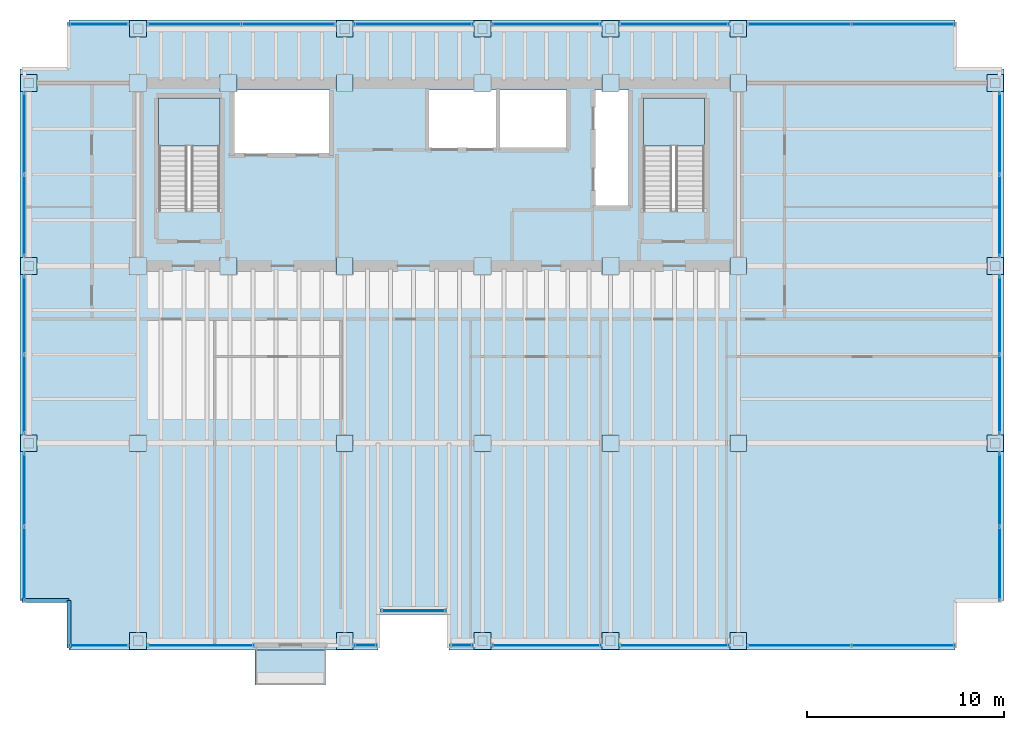
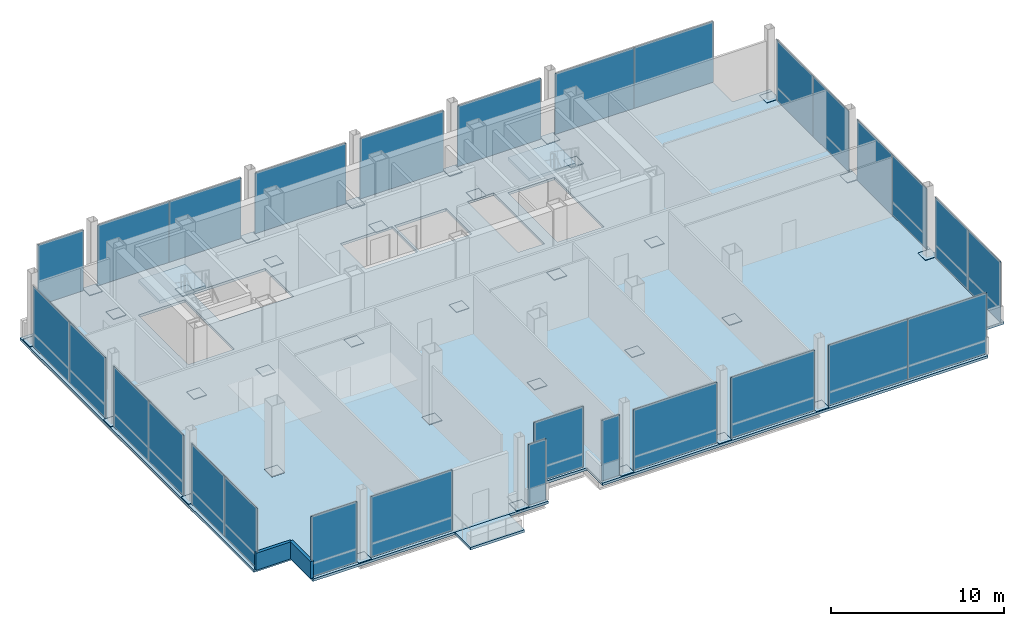
# One storey, part 17 of 22: 62 plates, 4 slabs, 2 walls, 6 openings, 22 elements without a shape of their own.
"""IFC4 building model written with IfcOpenShell, lengths in metres."""

import ifcopenshell
import ifcopenshell.guid

model = None  # the IFC model being written
_history = None  # IfcOwnerHistory: only IFC2X3 demands one
_inside = {}  # id of a spatial element -> (the spatial element, [elements in it])
_under = {}  # id of a project, library or spatial element -> (it, [spatial elements below it])
_declared = {}  # id of a project -> (the project, [libraries it declares])
_typed = {}  # id of a type object -> (the type object, [elements of that type])
_made_of = {}  # id of a material, layer set ... -> (it, [elements and type objects made of it])


def new_model(schema):
    """Start an empty IFC model of exactly this schema.

    Asked for "IFC4X3", IfcOpenShell would pick the latest addendum, in which some entities
    have other attributes; the version numbers below select the first issue.
    IFC2X3 requires an IfcOwnerHistory on every rooted entity: one is made here for all.
    """
    global model, _history
    if schema == "IFC4X3":
        model = ifcopenshell.file(schema_version=(4, 3, 0, 0))
    else:
        model = ifcopenshell.file(schema=schema)
    _inside.clear()
    _under.clear()
    _declared.clear()
    _typed.clear()
    _made_of.clear()
    _history = None
    if model.schema == "IFC2X3":
        org = make("IfcOrganization", Name="unknown")
        user = make(
            "IfcPersonAndOrganization",
            ThePerson=make("IfcPerson", FamilyName="unknown"),
            TheOrganization=org,
        )
        app = make(
            "IfcApplication",
            ApplicationDeveloper=org,
            Version="unknown",
            ApplicationFullName="unknown",
            ApplicationIdentifier="unknown",
        )
        _history = make(
            "IfcOwnerHistory",
            OwningUser=user,
            OwningApplication=app,
            ChangeAction="ADDED",
            CreationDate=0,
        )
    return model


def make(cls, **values):
    """One entity of the class cls with the attributes given. An attribute that is None is left unset."""
    return model.create_entity(
        cls, **{name: value for name, value in values.items() if value is not None}
    )


def rooted(cls, **values):
    """An entity with a GlobalId (a new one), such as an element, a storey or a relation."""
    return make(cls, GlobalId=ifcopenshell.guid.new(), OwnerHistory=_history, **values)


def si_unit(unit_type, name, prefix=None):
    """IfcSIUnit, for example si_unit("LENGTHUNIT", "METRE", prefix="MILLI")."""
    return make("IfcSIUnit", UnitType=unit_type, Prefix=prefix, Name=name)


def assignment(units):
    """IfcUnitAssignment: the units of a project."""
    return None if units is None else make("IfcUnitAssignment", Units=units)


def point(xyz):
    """IfcCartesianPoint."""
    return None if xyz is None else make("IfcCartesianPoint", Coordinates=xyz)


def direction(xyz):
    """IfcDirection."""
    return None if xyz is None else make("IfcDirection", DirectionRatios=xyz)


def frame(location, z_axis=None, x_axis=None):
    """IfcAxis2Placement3D, a coordinate frame: its origin and axes. An axis left out is left unset."""
    return make(
        "IfcAxis2Placement3D",
        Location=point(location),
        Axis=direction(z_axis),
        RefDirection=direction(x_axis),
    )


def frame_2d(location, x_axis=None):
    """IfcAxis2Placement2D, a coordinate frame in the plane: its origin and x axis."""
    return make(
        "IfcAxis2Placement2D", Location=point(location), RefDirection=direction(x_axis)
    )


def origin():
    """The frame at (0, 0, 0) with its axes left unset."""
    return frame((0.0, 0.0, 0.0))


def origin_2d():
    """The frame at (0, 0) in the plane with its x axis left unset."""
    return frame_2d((0.0, 0.0))


def place(relative_to, where):
    """IfcLocalPlacement: puts the frame where relative to a parent placement (None: the world)."""
    return make(
        "IfcLocalPlacement", PlacementRelTo=relative_to, RelativePlacement=where
    )


def context(
    kind, dimensions, precision=None, world=None, true_north=None, identifier=None
):
    """IfcGeometricRepresentationContext, for example the 3D "Model" context."""
    return make(
        "IfcGeometricRepresentationContext",
        ContextIdentifier=identifier,
        ContextType=kind,
        CoordinateSpaceDimension=dimensions,
        Precision=precision,
        WorldCoordinateSystem=world,
        TrueNorth=true_north,
    )


def subcontext(parent, identifier, kind, view, scale=None):
    """IfcGeometricRepresentationSubContext, for example "Body" below "Model"."""
    return make(
        "IfcGeometricRepresentationSubContext",
        ContextIdentifier=identifier,
        ContextType=kind,
        ParentContext=parent,
        TargetScale=scale,
        TargetView=view,
    )


def project(units=None, contexts=None):
    """IfcProject with its units and contexts."""
    return rooted(
        "IfcProject",
        Name="project",
        RepresentationContexts=contexts,
        UnitsInContext=assignment(units),
    )


def spatial(cls, under=None, at=None, **own):
    """A site, building, storey or space (cls), placed at a placement, below another one or the project."""
    s = rooted(cls, ObjectPlacement=at, **own)
    if under is not None:
        _under.setdefault(under.id(), (under, []))[1].append(s)
    return s


def polyline(points):
    """IfcPolyline through the points."""
    return make("IfcPolyline", Points=[point(p) for p in points])


def profile(cls, at=None, kind="AREA", **sizes):
    """A parametric profile (cls). Its sizes go by their IFC names, for example OverallWidth=200.0."""
    return make(cls, ProfileType=kind, Position=at, **sizes)


def rectangle(**sizes):
    """IfcRectangleProfileDef."""
    return profile("IfcRectangleProfileDef", **sizes)


def outline(outer, holes=None, kind="AREA"):
    """IfcArbitraryClosedProfileDef: a profile drawn as a closed curve; with holes, ...WithVoids."""
    if holes is None:
        return make("IfcArbitraryClosedProfileDef", ProfileType=kind, OuterCurve=outer)
    return make(
        "IfcArbitraryProfileDefWithVoids",
        ProfileType=kind,
        OuterCurve=outer,
        InnerCurves=holes,
    )


def extrude(swept, where, along, depth):
    """IfcExtrudedAreaSolid: the profile swept, set in the frame where, extruded along a direction by depth."""
    return make(
        "IfcExtrudedAreaSolid",
        SweptArea=swept,
        Position=where,
        ExtrudedDirection=direction(along),
        Depth=depth,
    )


def shape(context_of_items, identifier, shape_type, items):
    """IfcShapeRepresentation: the items that make up one representation, for example the "Body"."""
    return make(
        "IfcShapeRepresentation",
        ContextOfItems=context_of_items,
        RepresentationIdentifier=identifier,
        RepresentationType=shape_type,
        Items=items,
    )


def material(Name=None, Category=None):
    """IfcMaterial."""
    return make("IfcMaterial", Name=Name, Category=Category)


def layer(
    of_material, thickness, ventilated=None, Name=None, Category=None, Priority=None
):
    """IfcMaterialLayer: one layer of a wall or slab, of a material (None: an air gap)."""
    return make(
        "IfcMaterialLayer",
        Material=of_material,
        LayerThickness=thickness,
        IsVentilated=ventilated,
        Name=Name,
        Category=Category,
        Priority=Priority,
    )


def layer_set(layers, Name=None):
    """IfcMaterialLayerSet."""
    return make("IfcMaterialLayerSet", MaterialLayers=layers, LayerSetName=Name)


def made_of(thing, what):
    """Note that an element or type object is made of a material, layer set ...; save() writes the relation."""
    if what is not None:
        _made_of.setdefault(what.id(), (what, []))[1].append(thing)
    return thing


def type_object(cls, material=None, **own):
    """A type object (cls), such as IfcWallType, which elements share."""
    return made_of(rooted(cls, **own), material)


def element(
    cls,
    number,
    at=None,
    inside=None,
    cuts=None,
    type_object=None,
    material=None,
    context=None,
    identifier="Body",
    shape_type=None,
    held_by="IfcProductDefinitionShape",
    body=None,
    shapes=None,
    **own,
):
    """One element of the class cls, such as IfcWall. Its Tag is "e" and its number.

    at: its placement. inside: the storey or other place that contains it. cuts: it is an
    opening in that element (IfcRelVoidsElement). A single representation is given by context,
    identifier, shape_type and body (its items); several are given by shapes. held_by: the class
    of the entity that holds the representations. save() writes the other relations.
    """
    e = rooted(cls, Tag="e%d" % number, ObjectPlacement=at, **own)
    if body is not None:
        shapes = [shape(context, identifier, shape_type, body)]
    if shapes is not None:
        e.Representation = make(held_by, Representations=shapes)
    if inside is not None:
        _inside.setdefault(inside.id(), (inside, []))[1].append(e)
    if cuts is not None:
        rooted(
            "IfcRelVoidsElement", RelatingBuildingElement=cuts, RelatedOpeningElement=e
        )
    if type_object is not None:
        _typed.setdefault(type_object.id(), (type_object, []))[1].append(e)
    return made_of(e, material)


def aggregate(whole, parts):
    """IfcRelAggregates: a whole, such as a stair, and the parts it consists of."""
    return rooted("IfcRelAggregates", RelatingObject=whole, RelatedObjects=parts)


def save(model, path):
    """Write the relations noted so far, then the file.

    IfcRelAggregates (storeys below a building ...), IfcRelContainedInSpatialStructure (elements
    in a storey), IfcRelDefinesByType, IfcRelAssociatesMaterial and IfcRelDeclares: one each for
    every whole, place, type object, material and project.
    """
    for whole, parts in _under.values():
        aggregate(whole, parts)
    for where, things in _inside.values():
        rooted(
            "IfcRelContainedInSpatialStructure",
            RelatedElements=things,
            RelatingStructure=where,
        )
    for kind, things in _typed.values():
        rooted("IfcRelDefinesByType", RelatedObjects=things, RelatingType=kind)
    for what, things in _made_of.values():
        rooted("IfcRelAssociatesMaterial", RelatedObjects=things, RelatingMaterial=what)
    for by, libraries in _declared.values():
        rooted("IfcRelDeclares", RelatingContext=by, RelatedDefinitions=libraries)
    model.write(path)


model = new_model("IFC4")

# Units and contexts
model_context = context("Model", 3, precision=1e-05, world=origin(), true_north=direction((0.0, 1.0)))
body_context = subcontext(model_context, "Body", "Model", "MODEL_VIEW")
ifc_project = project(units=[si_unit("LENGTHUNIT", "METRE"), si_unit("AREAUNIT", "SQUARE_METRE"), si_unit("VOLUMEUNIT", "CUBIC_METRE"), si_unit("PLANEANGLEUNIT", "RADIAN"), si_unit("MASSUNIT", "GRAM", prefix="KILO")], contexts=[model_context])

# Site, building, storey
site_placement = place(None, origin())
site = spatial("IfcSite", under=ifc_project, at=site_placement, CompositionType="ELEMENT")
building_placement = place(site_placement, origin())
building = spatial("IfcBuilding", under=site, at=building_placement, Name="Noeulbin Bourse Tower", CompositionType="ELEMENT")
storey_placement = place(building_placement, frame((0.0, 0.0, 106.0)))
storey = spatial("IfcBuildingStorey", under=building, at=storey_placement, Name="L26", CompositionType="ELEMENT", Elevation=106.0)

# Curtain wall, plate
ifc_material_1 = material(Name="Dark Tinted Triple Glazing", Category="glass")
curtain_wall_type = type_object("IfcCurtainWallType", Name="CW-SYS-3", PredefinedType="NOTDEFINED", material=ifc_material_1)
curtain_wall_1_placement = place(storey_placement, origin())
curtain_wall_1 = element("IfcCurtainWall", 1, at=curtain_wall_1_placement, inside=storey, type_object=curtain_wall_type, Name="Unitised Curtain Wall CW-L26-SREC", PredefinedType="NOTDEFINED")
ifc_layer_1 = layer(ifc_material_1, 0.035888671875)
ifc_layer_set_1 = layer_set([ifc_layer_1], Name="Dark Tinted Triple Glazing")
plate_type_1 = type_object("IfcPlateType", Name="CW-SYS-3-PNL", PredefinedType="CURTAIN_PANEL", material=ifc_layer_set_1)
plate_1_placement = place(storey_placement, frame((27.5, 11.47998046875, 0.0), z_axis=(0.0, 0.0, 1.0), x_axis=(1.0, 0.0, 0.0)))
plate_1 = element("IfcPlate", 2, at=plate_1_placement, type_object=plate_type_1, Name="Glazed Curtain Panel CW-L26-SREC-P00", PredefinedType="CURTAIN_PANEL", context=body_context, shape_type="SweptSolid", body=[
    extrude(rectangle(XDim=3.300048828125, YDim=0.035888671875, at=origin_2d()), origin(), (0.0, 0.0, 1.0), 4.280029296875),
])
aggregate(curtain_wall_1, [plate_1])

curtain_wall_2_placement = place(storey_placement, origin())
curtain_wall_2 = element("IfcCurtainWall", 3, at=curtain_wall_2_placement, inside=storey, type_object=curtain_wall_type, Name="Unitised Curtain Wall CW-L26-S1-S1", PredefinedType="NOTDEFINED")
plate_2_placement = place(storey_placement, frame((11.510009765625, 9.719970703125, 0.0), z_axis=(0.0, 0.0, 1.0), x_axis=(1.0, 0.0, 0.0)))
plate_2 = element("IfcPlate", 4, at=plate_2_placement, type_object=plate_type_1, Name="Glazed Curtain Panel CW-L26-S1-S1-P00", PredefinedType="CURTAIN_PANEL", context=body_context, shape_type="SweptSolid", body=[
    extrude(rectangle(XDim=3.06005859375, YDim=0.035888671875, at=origin_2d()), origin(), (0.0, 0.0, 1.0), 4.280029296875),
])
aggregate(curtain_wall_2, [plate_2])

curtain_wall_3_placement = place(storey_placement, origin())
curtain_wall_3 = element("IfcCurtainWall", 5, at=curtain_wall_3_placement, inside=storey, type_object=curtain_wall_type, Name="Unitised Curtain Wall CW-L26-S1-S2", PredefinedType="NOTDEFINED")
plate_3_placement = place(storey_placement, frame((16.679931640625, 9.719970703125, 0.0), z_axis=(0.0, 0.0, 1.0), x_axis=(1.0, 0.0, 0.0)))
plate_3 = element("IfcPlate", 6, at=plate_3_placement, type_object=plate_type_1, Name="Glazed Curtain Panel CW-L26-S1-S2-P00", PredefinedType="CURTAIN_PANEL", context=body_context, shape_type="SweptSolid", body=[
    extrude(rectangle(XDim=5.43994140625, YDim=0.035888671875, at=origin_2d()), origin(), (0.0, 0.0, 1.0), 4.280029296875),
])
aggregate(curtain_wall_3, [plate_3])

curtain_wall_4_placement = place(storey_placement, origin())
curtain_wall_4 = element("IfcCurtainWall", 7, at=curtain_wall_4_placement, inside=storey, type_object=curtain_wall_type, Name="Unitised Curtain Wall CW-L26-S2", PredefinedType="NOTDEFINED")
plate_4_placement = place(storey_placement, frame((25.054931640625, 9.719970703125, 0.0), z_axis=(0.0, 0.0, 1.0), x_axis=(1.0, 0.0, 0.0)))
plate_4 = element("IfcPlate", 8, at=plate_4_placement, type_object=plate_type_1, Name="Glazed Curtain Panel CW-L26-S2-P00", PredefinedType="CURTAIN_PANEL", context=body_context, shape_type="SweptSolid", body=[
    extrude(rectangle(XDim=1.18994140625, YDim=0.035888671875, at=origin_2d()), origin(), (0.0, 0.0, 1.0), 4.280029296875),
])
aggregate(curtain_wall_4, [plate_4])

curtain_wall_5_placement = place(storey_placement, origin())
curtain_wall_5 = element("IfcCurtainWall", 9, at=curtain_wall_5_placement, inside=storey, type_object=curtain_wall_type, Name="Unitised Curtain Wall CW-L26-S3-S1", PredefinedType="NOTDEFINED")
plate_5_placement = place(storey_placement, frame((29.945068359375, 9.719970703125, 0.0), z_axis=(0.0, 0.0, 1.0), x_axis=(1.0, 0.0, 0.0)))
plate_5 = element("IfcPlate", 10, at=plate_5_placement, type_object=plate_type_1, Name="Glazed Curtain Panel CW-L26-S3-S1-P00", PredefinedType="CURTAIN_PANEL", context=body_context, shape_type="SweptSolid", body=[
    extrude(rectangle(XDim=1.18994140625, YDim=0.035888671875, at=origin_2d()), origin(), (0.0, 0.0, 1.0), 4.280029296875),
])
aggregate(curtain_wall_5, [plate_5])

curtain_wall_6_placement = place(storey_placement, origin())
curtain_wall_6 = element("IfcCurtainWall", 11, at=curtain_wall_6_placement, inside=storey, type_object=curtain_wall_type, Name="Unitised Curtain Wall CW-L26-S3-S2", PredefinedType="NOTDEFINED")
plate_6_placement = place(storey_placement, frame((34.25, 9.719970703125, 0.0), z_axis=(0.0, 0.0, 1.0), x_axis=(1.0, 0.0, 0.0)))
plate_6 = element("IfcPlate", 12, at=plate_6_placement, type_object=plate_type_1, Name="Glazed Curtain Panel CW-L26-S3-S2-P00", PredefinedType="CURTAIN_PANEL", context=body_context, shape_type="SweptSolid", body=[
    extrude(rectangle(XDim=5.580078125, YDim=0.035888671875, at=origin_2d()), origin(), (0.0, 0.0, 1.0), 4.280029296875),
])
aggregate(curtain_wall_6, [plate_6])

curtain_wall_7_placement = place(storey_placement, origin())
curtain_wall_7 = element("IfcCurtainWall", 13, at=curtain_wall_7_placement, inside=storey, type_object=curtain_wall_type, Name="Unitised Curtain Wall CW-L26-S3-S3", PredefinedType="NOTDEFINED")
plate_7_placement = place(storey_placement, frame((40.75, 9.719970703125, 0.0), z_axis=(0.0, 0.0, 1.0), x_axis=(1.0, 0.0, 0.0)))
plate_7 = element("IfcPlate", 14, at=plate_7_placement, type_object=plate_type_1, Name="Glazed Curtain Panel CW-L26-S3-S3-P00", PredefinedType="CURTAIN_PANEL", context=body_context, shape_type="SweptSolid", body=[
    extrude(rectangle(XDim=5.580078125, YDim=0.035888671875, at=origin_2d()), origin(), (0.0, 0.0, 1.0), 4.280029296875),
])
aggregate(curtain_wall_7, [plate_7])

# Curtain wall, plates
curtain_wall_8_placement = place(storey_placement, origin())
curtain_wall_8 = element("IfcCurtainWall", 15, at=curtain_wall_8_placement, inside=storey, type_object=curtain_wall_type, Name="Unitised Curtain Wall CW-L26-S3-S4", PredefinedType="NOTDEFINED")
plate_8_placement = place(storey_placement, frame((47.10009765625, 9.719970703125, 0.0), z_axis=(0.0, 0.0, 1.0), x_axis=(1.0, 0.0, 0.0)))
plate_8 = element("IfcPlate", 16, at=plate_8_placement, type_object=plate_type_1, Name="Glazed Curtain Panel CW-L26-S3-S4-P00", PredefinedType="CURTAIN_PANEL", context=body_context, shape_type="SweptSolid", body=[
    extrude(rectangle(XDim=5.280029296875, YDim=0.035888671875, at=origin_2d()), origin(), (0.0, 0.0, 1.0), 4.280029296875),
])
plate_9_placement = place(storey_placement, frame((52.3798828125, 9.719970703125, 0.0), z_axis=(0.0, 0.0, 1.0), x_axis=(1.0, 0.0, 0.0)))
plate_9 = element("IfcPlate", 17, at=plate_9_placement, type_object=plate_type_1, Name="Glazed Curtain Panel CW-L26-S3-S4-P01", PredefinedType="CURTAIN_PANEL", context=body_context, shape_type="SweptSolid", body=[
    extrude(rectangle(XDim=5.280029296875, YDim=0.035888671875, at=origin_2d()), origin(), (0.0, 0.0, 1.0), 4.280029296875),
])
aggregate(curtain_wall_8, [plate_8, plate_9])

# Curtain wall, plate
curtain_wall_9_placement = place(storey_placement, origin())
curtain_wall_9 = element("IfcCurtainWall", 18, at=curtain_wall_9_placement, inside=storey, type_object=curtain_wall_type, Name="Unitised Curtain Wall CW-L26-N-S1", PredefinedType="NOTDEFINED")
plate_10_placement = place(storey_placement, frame((11.510009765625, 41.280029296875, 0.0), z_axis=(0.0, 0.0, 1.0), x_axis=(1.0, 0.0, 0.0)))
plate_10 = element("IfcPlate", 19, at=plate_10_placement, type_object=plate_type_1, Name="Glazed Curtain Panel CW-L26-N-S1-P00", PredefinedType="CURTAIN_PANEL", context=body_context, shape_type="SweptSolid", body=[
    extrude(rectangle(XDim=3.06005859375, YDim=0.035888671875, at=origin_2d()), origin(), (0.0, 0.0, 1.0), 4.280029296875),
])
aggregate(curtain_wall_9, [plate_10])

# Curtain wall, plates
curtain_wall_10_placement = place(storey_placement, origin())
curtain_wall_10 = element("IfcCurtainWall", 20, at=curtain_wall_10_placement, inside=storey, type_object=curtain_wall_type, Name="Unitised Curtain Wall CW-L26-N-S2", PredefinedType="NOTDEFINED")
plate_11_placement = place(storey_placement, frame((16.35498046875, 41.280029296875, 0.0), z_axis=(0.0, 0.0, 1.0), x_axis=(1.0, 0.0, 0.0)))
plate_11 = element("IfcPlate", 21, at=plate_11_placement, type_object=plate_type_1, Name="Glazed Curtain Panel CW-L26-N-S2-P00", PredefinedType="CURTAIN_PANEL", context=body_context, shape_type="SweptSolid", body=[
    extrude(rectangle(XDim=4.7900390625, YDim=0.035888671875, at=origin_2d()), origin(), (0.0, 0.0, 1.0), 4.280029296875),
])
plate_12_placement = place(storey_placement, frame((21.14501953125, 41.280029296875, 0.0), z_axis=(0.0, 0.0, 1.0), x_axis=(1.0, 0.0, 0.0)))
plate_12 = element("IfcPlate", 22, at=plate_12_placement, type_object=plate_type_1, Name="Glazed Curtain Panel CW-L26-N-S2-P01", PredefinedType="CURTAIN_PANEL", context=body_context, shape_type="SweptSolid", body=[
    extrude(rectangle(XDim=4.7900390625, YDim=0.035888671875, at=origin_2d()), origin(), (0.0, 0.0, 1.0), 4.280029296875),
])
aggregate(curtain_wall_10, [plate_11, plate_12])

# Curtain wall, plate
curtain_wall_11_placement = place(storey_placement, origin())
curtain_wall_11 = element("IfcCurtainWall", 23, at=curtain_wall_11_placement, inside=storey, type_object=curtain_wall_type, Name="Unitised Curtain Wall CW-L26-N-S3", PredefinedType="NOTDEFINED")
plate_13_placement = place(storey_placement, frame((27.5, 41.280029296875, 0.0), z_axis=(0.0, 0.0, 1.0), x_axis=(1.0, 0.0, 0.0)))
plate_13 = element("IfcPlate", 24, at=plate_13_placement, type_object=plate_type_1, Name="Glazed Curtain Panel CW-L26-N-S3-P00", PredefinedType="CURTAIN_PANEL", context=body_context, shape_type="SweptSolid", body=[
    extrude(rectangle(XDim=6.080078125, YDim=0.035888671875, at=origin_2d()), origin(), (0.0, 0.0, 1.0), 4.280029296875),
])
aggregate(curtain_wall_11, [plate_13])

curtain_wall_12_placement = place(storey_placement, origin())
curtain_wall_12 = element("IfcCurtainWall", 25, at=curtain_wall_12_placement, inside=storey, type_object=curtain_wall_type, Name="Unitised Curtain Wall CW-L26-N-S4", PredefinedType="NOTDEFINED")
plate_14_placement = place(storey_placement, frame((34.25, 41.280029296875, 0.0), z_axis=(0.0, 0.0, 1.0), x_axis=(1.0, 0.0, 0.0)))
plate_14 = element("IfcPlate", 26, at=plate_14_placement, type_object=plate_type_1, Name="Glazed Curtain Panel CW-L26-N-S4-P00", PredefinedType="CURTAIN_PANEL", context=body_context, shape_type="SweptSolid", body=[
    extrude(rectangle(XDim=5.580078125, YDim=0.035888671875, at=origin_2d()), origin(), (0.0, 0.0, 1.0), 4.280029296875),
])
aggregate(curtain_wall_12, [plate_14])

curtain_wall_13_placement = place(storey_placement, origin())
curtain_wall_13 = element("IfcCurtainWall", 27, at=curtain_wall_13_placement, inside=storey, type_object=curtain_wall_type, Name="Unitised Curtain Wall CW-L26-N-S5", PredefinedType="NOTDEFINED")
plate_15_placement = place(storey_placement, frame((40.75, 41.280029296875, 0.0), z_axis=(0.0, 0.0, 1.0), x_axis=(1.0, 0.0, 0.0)))
plate_15 = element("IfcPlate", 28, at=plate_15_placement, type_object=plate_type_1, Name="Glazed Curtain Panel CW-L26-N-S5-P00", PredefinedType="CURTAIN_PANEL", context=body_context, shape_type="SweptSolid", body=[
    extrude(rectangle(XDim=5.580078125, YDim=0.035888671875, at=origin_2d()), origin(), (0.0, 0.0, 1.0), 4.280029296875),
])
aggregate(curtain_wall_13, [plate_15])

# Curtain wall, plates
curtain_wall_14_placement = place(storey_placement, origin())
curtain_wall_14 = element("IfcCurtainWall", 29, at=curtain_wall_14_placement, inside=storey, type_object=curtain_wall_type, Name="Unitised Curtain Wall CW-L26-N-S6", PredefinedType="NOTDEFINED")
plate_16_placement = place(storey_placement, frame((47.10009765625, 41.280029296875, 0.0), z_axis=(0.0, 0.0, 1.0), x_axis=(1.0, 0.0, 0.0)))
plate_16 = element("IfcPlate", 30, at=plate_16_placement, type_object=plate_type_1, Name="Glazed Curtain Panel CW-L26-N-S6-P00", PredefinedType="CURTAIN_PANEL", context=body_context, shape_type="SweptSolid", body=[
    extrude(rectangle(XDim=5.280029296875, YDim=0.035888671875, at=origin_2d()), origin(), (0.0, 0.0, 1.0), 4.280029296875),
])
plate_17_placement = place(storey_placement, frame((52.3798828125, 41.280029296875, 0.0), z_axis=(0.0, 0.0, 1.0), x_axis=(1.0, 0.0, 0.0)))
plate_17 = element("IfcPlate", 31, at=plate_17_placement, type_object=plate_type_1, Name="Glazed Curtain Panel CW-L26-N-S6-P01", PredefinedType="CURTAIN_PANEL", context=body_context, shape_type="SweptSolid", body=[
    extrude(rectangle(XDim=5.280029296875, YDim=0.035888671875, at=origin_2d()), origin(), (0.0, 0.0, 1.0), 4.280029296875),
])
aggregate(curtain_wall_14, [plate_16, plate_17])

curtain_wall_15_placement = place(storey_placement, origin())
curtain_wall_15 = element("IfcCurtainWall", 32, at=curtain_wall_15_placement, inside=storey, type_object=curtain_wall_type, Name="Unitised Curtain Wall CW-L26-W-S1", PredefinedType="NOTDEFINED")
plate_18_placement = place(storey_placement, frame((7.719970703125, 13.8701171875, 0.0), z_axis=(0.0, 0.0, 1.0), x_axis=(0.0, 1.0, 0.0)))
plate_18 = element("IfcPlate", 33, at=plate_18_placement, type_object=plate_type_1, Name="Glazed Curtain Panel CW-L26-W-S1-P00", PredefinedType="CURTAIN_PANEL", context=body_context, shape_type="SweptSolid", body=[
    extrude(rectangle(XDim=3.780029296875, YDim=0.035888671875, at=origin_2d()), origin(), (0.0, 0.0, 1.0), 4.280029296875),
])
plate_19_placement = place(storey_placement, frame((7.719970703125, 17.64990234375, 0.0), z_axis=(0.0, 0.0, 1.0), x_axis=(0.0, 1.0, 0.0)))
plate_19 = element("IfcPlate", 34, at=plate_19_placement, type_object=plate_type_1, Name="Glazed Curtain Panel CW-L26-W-S1-P01", PredefinedType="CURTAIN_PANEL", context=body_context, shape_type="SweptSolid", body=[
    extrude(rectangle(XDim=3.780029296875, YDim=0.035888671875, at=origin_2d()), origin(), (0.0, 0.0, 1.0), 4.280029296875),
])
aggregate(curtain_wall_15, [plate_18, plate_19])

curtain_wall_16_placement = place(storey_placement, origin())
curtain_wall_16 = element("IfcCurtainWall", 35, at=curtain_wall_16_placement, inside=storey, type_object=curtain_wall_type, Name="Unitised Curtain Wall CW-L26-W-S2", PredefinedType="NOTDEFINED")
plate_20_placement = place(storey_placement, frame((7.719970703125, 22.47998046875, 0.0), z_axis=(0.0, 0.0, 1.0), x_axis=(0.0, 1.0, 0.0)))
plate_20 = element("IfcPlate", 36, at=plate_20_placement, type_object=plate_type_1, Name="Glazed Curtain Panel CW-L26-W-S2-P00", PredefinedType="CURTAIN_PANEL", context=body_context, shape_type="SweptSolid", body=[
    extrude(rectangle(XDim=4.0400390625, YDim=0.035888671875, at=origin_2d()), origin(), (0.0, 0.0, 1.0), 4.280029296875),
])
plate_21_placement = place(storey_placement, frame((7.719970703125, 26.52001953125, 0.0), z_axis=(0.0, 0.0, 1.0), x_axis=(0.0, 1.0, 0.0)))
plate_21 = element("IfcPlate", 37, at=plate_21_placement, type_object=plate_type_1, Name="Glazed Curtain Panel CW-L26-W-S2-P01", PredefinedType="CURTAIN_PANEL", context=body_context, shape_type="SweptSolid", body=[
    extrude(rectangle(XDim=4.0400390625, YDim=0.035888671875, at=origin_2d()), origin(), (0.0, 0.0, 1.0), 4.280029296875),
])
aggregate(curtain_wall_16, [plate_20, plate_21])

curtain_wall_17_placement = place(storey_placement, origin())
curtain_wall_17 = element("IfcCurtainWall", 38, at=curtain_wall_17_placement, inside=storey, type_object=curtain_wall_type, Name="Unitised Curtain Wall CW-L26-W-S3", PredefinedType="NOTDEFINED")
plate_22_placement = place(storey_placement, frame((7.719970703125, 31.554931640625, 0.0), z_axis=(0.0, 0.0, 1.0), x_axis=(0.0, 1.0, 0.0)))
plate_22 = element("IfcPlate", 39, at=plate_22_placement, type_object=plate_type_1, Name="Glazed Curtain Panel CW-L26-W-S3-P00", PredefinedType="CURTAIN_PANEL", context=body_context, shape_type="SweptSolid", body=[
    extrude(rectangle(XDim=4.18994140625, YDim=0.035888671875, at=origin_2d()), origin(), (0.0, 0.0, 1.0), 4.280029296875),
])
plate_23_placement = place(storey_placement, frame((7.719970703125, 35.7451171875, 0.0), z_axis=(0.0, 0.0, 1.0), x_axis=(0.0, 1.0, 0.0)))
plate_23 = element("IfcPlate", 40, at=plate_23_placement, type_object=plate_type_1, Name="Glazed Curtain Panel CW-L26-W-S3-P01", PredefinedType="CURTAIN_PANEL", context=body_context, shape_type="SweptSolid", body=[
    extrude(rectangle(XDim=4.18994140625, YDim=0.035888671875, at=origin_2d()), origin(), (0.0, 0.0, 1.0), 4.280029296875),
])
aggregate(curtain_wall_17, [plate_22, plate_23])

curtain_wall_18_placement = place(storey_placement, origin())
curtain_wall_18 = element("IfcCurtainWall", 41, at=curtain_wall_18_placement, inside=storey, type_object=curtain_wall_type, Name="Unitised Curtain Wall CW-L26-E-S1", PredefinedType="NOTDEFINED")
plate_24_placement = place(storey_placement, frame((57.280029296875, 13.8701171875, 0.0), z_axis=(0.0, 0.0, 1.0), x_axis=(0.0, 1.0, 0.0)))
plate_24 = element("IfcPlate", 42, at=plate_24_placement, type_object=plate_type_1, Name="Glazed Curtain Panel CW-L26-E-S1-P00", PredefinedType="CURTAIN_PANEL", context=body_context, shape_type="SweptSolid", body=[
    extrude(rectangle(XDim=3.780029296875, YDim=0.035888671875, at=origin_2d()), origin(), (0.0, 0.0, 1.0), 4.280029296875),
])
plate_25_placement = place(storey_placement, frame((57.280029296875, 17.64990234375, 0.0), z_axis=(0.0, 0.0, 1.0), x_axis=(0.0, 1.0, 0.0)))
plate_25 = element("IfcPlate", 43, at=plate_25_placement, type_object=plate_type_1, Name="Glazed Curtain Panel CW-L26-E-S1-P01", PredefinedType="CURTAIN_PANEL", context=body_context, shape_type="SweptSolid", body=[
    extrude(rectangle(XDim=3.780029296875, YDim=0.035888671875, at=origin_2d()), origin(), (0.0, 0.0, 1.0), 4.280029296875),
])
aggregate(curtain_wall_18, [plate_24, plate_25])

curtain_wall_19_placement = place(storey_placement, origin())
curtain_wall_19 = element("IfcCurtainWall", 44, at=curtain_wall_19_placement, inside=storey, type_object=curtain_wall_type, Name="Unitised Curtain Wall CW-L26-E-S2", PredefinedType="NOTDEFINED")
plate_26_placement = place(storey_placement, frame((57.280029296875, 22.47998046875, 0.0), z_axis=(0.0, 0.0, 1.0), x_axis=(0.0, 1.0, 0.0)))
plate_26 = element("IfcPlate", 45, at=plate_26_placement, type_object=plate_type_1, Name="Glazed Curtain Panel CW-L26-E-S2-P00", PredefinedType="CURTAIN_PANEL", context=body_context, shape_type="SweptSolid", body=[
    extrude(rectangle(XDim=4.0400390625, YDim=0.035888671875, at=origin_2d()), origin(), (0.0, 0.0, 1.0), 4.280029296875),
])
plate_27_placement = place(storey_placement, frame((57.280029296875, 26.52001953125, 0.0), z_axis=(0.0, 0.0, 1.0), x_axis=(0.0, 1.0, 0.0)))
plate_27 = element("IfcPlate", 46, at=plate_27_placement, type_object=plate_type_1, Name="Glazed Curtain Panel CW-L26-E-S2-P01", PredefinedType="CURTAIN_PANEL", context=body_context, shape_type="SweptSolid", body=[
    extrude(rectangle(XDim=4.0400390625, YDim=0.035888671875, at=origin_2d()), origin(), (0.0, 0.0, 1.0), 4.280029296875),
])
aggregate(curtain_wall_19, [plate_26, plate_27])

curtain_wall_20_placement = place(storey_placement, origin())
curtain_wall_20 = element("IfcCurtainWall", 47, at=curtain_wall_20_placement, inside=storey, type_object=curtain_wall_type, Name="Unitised Curtain Wall CW-L26-E-S3", PredefinedType="NOTDEFINED")
plate_28_placement = place(storey_placement, frame((57.280029296875, 31.554931640625, 0.0), z_axis=(0.0, 0.0, 1.0), x_axis=(0.0, 1.0, 0.0)))
plate_28 = element("IfcPlate", 48, at=plate_28_placement, type_object=plate_type_1, Name="Glazed Curtain Panel CW-L26-E-S3-P00", PredefinedType="CURTAIN_PANEL", context=body_context, shape_type="SweptSolid", body=[
    extrude(rectangle(XDim=4.18994140625, YDim=0.035888671875, at=origin_2d()), origin(), (0.0, 0.0, 1.0), 4.280029296875),
])
plate_29_placement = place(storey_placement, frame((57.280029296875, 35.7451171875, 0.0), z_axis=(0.0, 0.0, 1.0), x_axis=(0.0, 1.0, 0.0)))
plate_29 = element("IfcPlate", 49, at=plate_29_placement, type_object=plate_type_1, Name="Glazed Curtain Panel CW-L26-E-S3-P01", PredefinedType="CURTAIN_PANEL", context=body_context, shape_type="SweptSolid", body=[
    extrude(rectangle(XDim=4.18994140625, YDim=0.035888671875, at=origin_2d()), origin(), (0.0, 0.0, 1.0), 4.280029296875),
])
aggregate(curtain_wall_20, [plate_28, plate_29])

# Plates
ifc_material_2 = material(Name="Steel S355", Category="steel")
ifc_layer_2 = layer(ifc_material_2, 0.030029296875)
ifc_layer_set_2 = layer_set([ifc_layer_2], Name="Steel S355")
plate_type_2 = type_object("IfcPlateType", Name="PLT-BN1", PredefinedType="USERDEFINED", material=ifc_layer_set_2)
for number, where, z_axis, x_axis, name in (
    (50, (13.5, 29.0, 0.0048828125), (0.0, 0.0, 1.0), (1.0, 0.0, 0.0), "Mega-Column Splice Plate BN1-L26-01"),
    (51, (13.5, 38.300048828125, 0.0048828125), (0.0, 0.0, 1.0), (1.0, 0.0, 0.0), "Mega-Column Splice Plate BN1-L26-02"),
    (52, (18.10009765625, 29.0, 0.0048828125), (0.0, 0.0, 1.0), (1.0, 0.0, 0.0), "Mega-Column Splice Plate BN1-L26-03"),
    (53, (18.10009765625, 38.300048828125, 0.0048828125), (0.0, 0.0, 1.0), (1.0, 0.0, 0.0), "Mega-Column Splice Plate BN1-L26-04"),
    (54, (24.0, 29.0, 0.0048828125), (0.0, 0.0, 1.0), (1.0, 0.0, 0.0), "Mega-Column Splice Plate BN1-L26-05"),
    (55, (24.0, 38.300048828125, 0.0048828125), (0.0, 0.0, 1.0), (1.0, 0.0, 0.0), "Mega-Column Splice Plate BN1-L26-06"),
    (56, (31.0, 29.0, 0.0048828125), (0.0, 0.0, 1.0), (1.0, 0.0, 0.0), "Mega-Column Splice Plate BN1-L26-07"),
    (57, (31.0, 38.300048828125, 0.0048828125), (0.0, 0.0, 1.0), (1.0, 0.0, 0.0), "Mega-Column Splice Plate BN1-L26-08"),
    (58, (37.5, 29.0, 0.0048828125), (0.0, 0.0, 1.0), (1.0, 0.0, 0.0), "Mega-Column Splice Plate BN1-L26-09"),
    (59, (37.5, 38.300048828125, 0.0048828125), (0.0, 0.0, 1.0), (1.0, 0.0, 0.0), "Mega-Column Splice Plate BN1-L26-10"),
    (60, (44.0, 29.0, 0.0048828125), (0.0, 0.0, 1.0), (1.0, 0.0, 0.0), "Mega-Column Splice Plate BN1-L26-11"),
    (61, (44.0, 38.300048828125, 0.0048828125), (0.0, 0.0, 1.0), (1.0, 0.0, 0.0), "Mega-Column Splice Plate BN1-L26-12"),
    (62, (13.5, 20.0, 0.0048828125), (0.0, 0.0, 1.0), (1.0, 0.0, 0.0), "Mega-Column Splice Plate BN1-L26-13"),
    (63, (24.0, 20.0, 0.0048828125), (0.0, 0.0, 1.0), (1.0, 0.0, 0.0), "Mega-Column Splice Plate BN1-L26-14"),
    (64, (31.0, 20.0, 0.0048828125), (0.0, 0.0, 1.0), (1.0, 0.0, 0.0), "Mega-Column Splice Plate BN1-L26-15"),
    (65, (37.5, 20.0, 0.0048828125), (0.0, 0.0, 1.0), (1.0, 0.0, 0.0), "Mega-Column Splice Plate BN1-L26-16"),
    (66, (44.0, 20.0, 0.0048828125), (0.0, 0.0, 1.0), (1.0, 0.0, 0.0), "Mega-Column Splice Plate BN1-L26-17"),
    (67, (7.949951171875, 20.0, 0.0048828125), (0.0, 0.0, 1.0), (1.0, 0.0, 0.0), "Perimeter Column Splice Plate BN1-L26-01"),
    (68, (7.949951171875, 29.0, 0.0048828125), (0.0, 0.0, 1.0), (1.0, 0.0, 0.0), "Perimeter Column Splice Plate BN1-L26-02"),
    (69, (7.949951171875, 38.300048828125, 0.0048828125), (0.0, 0.0, 1.0), (1.0, 0.0, 0.0), "Perimeter Column Splice Plate BN1-L26-03"),
    (70, (13.5, 9.949951171875, 0.0048828125), (0.0, 0.0, 1.0), (1.0, 0.0, 0.0), "Perimeter Column Splice Plate BN1-L26-04"),
    (71, (13.5, 41.050048828125, 0.0048828125), (0.0, 0.0, 1.0), (1.0, 0.0, 0.0), "Perimeter Column Splice Plate BN1-L26-05"),
    (72, (24.0, 9.949951171875, 0.0048828125), (0.0, 0.0, 1.0), (1.0, 0.0, 0.0), "Perimeter Column Splice Plate BN1-L26-06"),
    (73, (24.0, 41.050048828125, 0.0048828125), (0.0, 0.0, 1.0), (1.0, 0.0, 0.0), "Perimeter Column Splice Plate BN1-L26-07"),
    (74, (31.0, 9.949951171875, 0.0048828125), (0.0, 0.0, 1.0), (1.0, 0.0, 0.0), "Perimeter Column Splice Plate BN1-L26-08"),
    (75, (31.0, 41.050048828125, 0.0048828125), (0.0, 0.0, 1.0), (1.0, 0.0, 0.0), "Perimeter Column Splice Plate BN1-L26-09"),
    (76, (37.5, 9.949951171875, 0.0048828125), (0.0, 0.0, 1.0), (1.0, 0.0, 0.0), "Perimeter Column Splice Plate BN1-L26-10"),
    (77, (37.5, 41.050048828125, 0.0048828125), (0.0, 0.0, 1.0), (1.0, 0.0, 0.0), "Perimeter Column Splice Plate BN1-L26-11"),
    (78, (44.0, 9.949951171875, 0.0048828125), (0.0, 0.0, 1.0), (1.0, 0.0, 0.0), "Perimeter Column Splice Plate BN1-L26-12"),
    (79, (44.0, 41.050048828125, 0.0048828125), (0.0, 0.0, 1.0), (1.0, 0.0, 0.0), "Perimeter Column Splice Plate BN1-L26-13"),
    (80, (57.050048828125, 20.0, 0.0048828125), (0.0, 0.0, 1.0), (1.0, 0.0, 0.0), "Perimeter Column Splice Plate BN1-L26-14"),
    (81, (57.050048828125, 29.0, 0.0048828125), (0.0, 0.0, 1.0), (1.0, 0.0, 0.0), "Perimeter Column Splice Plate BN1-L26-15"),
    (82, (57.050048828125, 38.300048828125, 0.0048828125), (0.0, 0.0, 1.0), (1.0, 0.0, 0.0), "Perimeter Column Splice Plate BN1-L26-16"),
):
    element("IfcPlate", number, at=place(storey_placement, frame(where, z_axis=z_axis, x_axis=x_axis)), inside=storey, type_object=plate_type_2, Name=name, ObjectType="SPLICE PLATE", PredefinedType="USERDEFINED", context=body_context, shape_type="SweptSolid", body=[
        extrude(rectangle(XDim=0.85009765625, YDim=0.85009765625, at=origin_2d()), origin(), (0.0, 0.0, 1.0), 0.030029296875),
    ])

# Stair, slab
ifc_material_3 = material(Name="Concrete C40/50", Category="concrete")
stair_type = type_object("IfcStairType", Name="STR-CORE-1560", PredefinedType="HALF_TURN_STAIR", material=ifc_material_3)
stair_1_placement = place(storey_placement, origin())
stair_1 = element("IfcStair", 83, at=stair_1_placement, inside=storey, type_object=stair_type, Name="L26 ST-1", PredefinedType="HALF_TURN_STAIR")
ifc_layer_3 = layer(ifc_material_3, 0.199951171875)
ifc_layer_set_3 = layer_set([ifc_layer_3], Name="Concrete C40/50")
slab_type_1 = type_object("IfcSlabType", Name="SLB-LND-200", PredefinedType="LANDING", material=ifc_layer_set_3)
slab_1_placement = place(storey_placement, frame((0.0, 0.0, 2.300048828125)))
slab_1 = element("IfcSlab", 84, at=slab_1_placement, type_object=slab_type_1, Name="ST-1 landing 1", PredefinedType="LANDING", context=body_context, shape_type="SweptSolid", body=[
    extrude(outline(polyline([(17.64990234375, 35.0859375), (17.64990234375, 37.5439453125), (14.550048828125, 37.5439453125), (14.550048828125, 35.0859375), (17.64990234375, 35.0859375)])), origin(), (0.0, 0.0, 1.0), 0.199951171875),
])
aggregate(stair_1, [slab_1])

stair_2_placement = place(storey_placement, origin())
stair_2 = element("IfcStair", 85, at=stair_2_placement, inside=storey, type_object=stair_type, Name="L26 ST-2", PredefinedType="HALF_TURN_STAIR")
slab_2_placement = place(storey_placement, frame((0.0, 0.0, 2.300048828125)))
slab_2 = element("IfcSlab", 86, at=slab_2_placement, type_object=slab_type_1, Name="ST-2 landing 1", PredefinedType="LANDING", context=body_context, shape_type="SweptSolid", body=[
    extrude(outline(polyline([(42.280029296875, 35.0859375), (42.280029296875, 37.5439453125), (39.179931640625, 37.5439453125), (39.179931640625, 35.0859375), (42.280029296875, 35.0859375)])), origin(), (0.0, 0.0, 1.0), 0.199951171875),
])
aggregate(stair_2, [slab_2])

# Slab, openings
ifc_layer_4 = layer(ifc_material_3, 0.179931640625)
ifc_layer_set_4 = layer_set([ifc_layer_4], Name="Concrete C40/50")
slab_type_2 = type_object("IfcSlabType", Name="SLB-TYP-180", PredefinedType="FLOOR", material=ifc_layer_set_4)
slab_3_placement = place(storey_placement, frame((0.0, 0.0, -0.179931640625)))
slab_3 = element("IfcSlab", 87, at=slab_3_placement, inside=storey, type_object=slab_type_2, Name="Tower Structural Floor Slab L26", PredefinedType="FLOOR", context=body_context, shape_type="SweptSolid", body=[
    extrude(outline(polyline([(10.0, 9.5), (25.699951171875, 9.5), (25.699951171875, 11.300048828125), (29.300048828125, 11.300048828125), (29.300048828125, 9.5), (55.0, 9.5), (55.0, 12.0), (57.5, 12.0), (57.5, 39.0), (55.0, 39.0), (55.0, 41.5), (10.0, 41.5), (10.0, 39.0), (7.5, 39.0), (7.5, 12.0), (10.0, 12.0), (10.0, 9.5)]), holes=[polyline([(17.64990234375, 31.81005859375), (17.64990234375, 37.5439453125), (14.550048828125, 37.5439453125), (14.550048828125, 31.81005859375), (17.64990234375, 31.81005859375)]), polyline([(42.280029296875, 31.81005859375), (42.280029296875, 37.5439453125), (39.179931640625, 37.5439453125), (39.179931640625, 31.81005859375), (42.280029296875, 31.81005859375)]), polyline([(18.35009765625, 34.699951171875), (23.25, 34.699951171875), (23.25, 37.949951171875), (18.35009765625, 37.949951171875), (18.35009765625, 34.699951171875)]), polyline([(36.699951171875, 32.050048828125), (38.449951171875, 32.050048828125), (38.449951171875, 37.949951171875), (36.699951171875, 37.949951171875), (36.699951171875, 32.050048828125)]), polyline([(28.25, 35.0), (31.699951171875, 35.0), (31.699951171875, 37.949951171875), (28.25, 37.949951171875), (28.25, 35.0)]), polyline([(31.85009765625, 35.0), (35.300048828125, 35.0), (35.300048828125, 37.949951171875), (31.85009765625, 37.949951171875), (31.85009765625, 35.0)])]), origin(), (0.0, 0.0, 1.0), 0.179931640625),
])
opening_1_placement = place(slab_3_placement, frame((0.0, 0.0, -0.010009765625)))
element("IfcOpeningElement", 88, at=opening_1_placement, cuts=slab_3, Name="Slab Shaft Opening SLB-L26-TWR-1", PredefinedType="OPENING", context=body_context, shape_type="SweptSolid", body=[
    extrude(outline(polyline([(17.64990234375, 31.81005859375), (17.64990234375, 37.5439453125), (14.550048828125, 37.5439453125), (14.550048828125, 31.81005859375), (17.64990234375, 31.81005859375)])), origin(), (0.0, 0.0, 1.0), 0.199951171875),
])
opening_2_placement = place(slab_3_placement, frame((0.0, 0.0, -0.010009765625)))
element("IfcOpeningElement", 89, at=opening_2_placement, cuts=slab_3, Name="Slab Shaft Opening SLB-L26-TWR-2", PredefinedType="OPENING", context=body_context, shape_type="SweptSolid", body=[
    extrude(outline(polyline([(42.280029296875, 31.81005859375), (42.280029296875, 37.5439453125), (39.179931640625, 37.5439453125), (39.179931640625, 31.81005859375), (42.280029296875, 31.81005859375)])), origin(), (0.0, 0.0, 1.0), 0.199951171875),
])
opening_3_placement = place(slab_3_placement, frame((0.0, 0.0, -0.010009765625)))
element("IfcOpeningElement", 90, at=opening_3_placement, cuts=slab_3, Name="Slab Shaft Opening SLB-L26-TWR-3", PredefinedType="OPENING", context=body_context, shape_type="SweptSolid", body=[
    extrude(outline(polyline([(18.35009765625, 34.699951171875), (23.25, 34.699951171875), (23.25, 37.949951171875), (18.35009765625, 37.949951171875), (18.35009765625, 34.699951171875)])), origin(), (0.0, 0.0, 1.0), 0.199951171875),
])
opening_4_placement = place(slab_3_placement, frame((0.0, 0.0, -0.010009765625)))
element("IfcOpeningElement", 91, at=opening_4_placement, cuts=slab_3, Name="Slab Shaft Opening SLB-L26-TWR-4", PredefinedType="OPENING", context=body_context, shape_type="SweptSolid", body=[
    extrude(outline(polyline([(36.699951171875, 32.050048828125), (38.449951171875, 32.050048828125), (38.449951171875, 37.949951171875), (36.699951171875, 37.949951171875), (36.699951171875, 32.050048828125)])), origin(), (0.0, 0.0, 1.0), 0.199951171875),
])
opening_5_placement = place(slab_3_placement, frame((0.0, 0.0, -0.010009765625)))
element("IfcOpeningElement", 92, at=opening_5_placement, cuts=slab_3, Name="Slab Shaft Opening SLB-L26-TWR-5", PredefinedType="OPENING", context=body_context, shape_type="SweptSolid", body=[
    extrude(outline(polyline([(28.25, 35.0), (31.699951171875, 35.0), (31.699951171875, 37.949951171875), (28.25, 37.949951171875), (28.25, 35.0)])), origin(), (0.0, 0.0, 1.0), 0.199951171875),
])
opening_6_placement = place(slab_3_placement, frame((0.0, 0.0, -0.010009765625)))
element("IfcOpeningElement", 93, at=opening_6_placement, cuts=slab_3, Name="Slab Shaft Opening SLB-L26-TWR-6", PredefinedType="OPENING", context=body_context, shape_type="SweptSolid", body=[
    extrude(outline(polyline([(31.85009765625, 35.0), (35.300048828125, 35.0), (35.300048828125, 37.949951171875), (31.85009765625, 37.949951171875), (31.85009765625, 35.0)])), origin(), (0.0, 0.0, 1.0), 0.199951171875),
])

# Slab
slab_4_placement = place(storey_placement, frame((0.0, 0.0, -0.179931640625)))
element("IfcSlab", 94, at=slab_4_placement, inside=storey, type_object=slab_type_2, Name="Cantilevered Tree-Balcony Slab L26", PredefinedType="FLOOR", context=body_context, shape_type="SweptSolid", body=[
    extrude(outline(polyline([(19.449951171875, 7.699951171875), (23.050048828125, 7.699951171875), (23.050048828125, 9.5), (19.449951171875, 9.5), (19.449951171875, 7.699951171875)])), origin(), (0.0, 0.0, 1.0), 0.179931640625),
])

# Walls
ifc_layer_5 = layer(ifc_material_3, 0.199951171875)
ifc_layer_set_5 = layer_set([ifc_layer_5], Name="Concrete C40/50")
wall_type = type_object("IfcWallType", Name="WAL-PAR-200", PredefinedType="PARAPET", material=ifc_layer_set_5)
for number, where, z_axis, x_axis, name in (
    (95, (7.60009765625, 12.0, 0.0), (0.0, 0.0, 1.0), (1.0, 0.0, 0.0), "Corner Notch Parapet L26-SW1"),
    (96, (10.0, 12.0, 0.0), (0.0, 0.0, 1.0), (0.0, -1.0, 0.0), "Corner Notch Parapet L26-SW2"),
):
    element("IfcWall", number, at=place(storey_placement, frame(where, z_axis=z_axis, x_axis=x_axis)), inside=storey, type_object=wall_type, Name=name, PredefinedType="PARAPET", context=body_context, shape_type="SweptSolid", body=[
        extrude(rectangle(XDim=2.39990234375, YDim=0.199951171875, at=frame_2d((1.199951171875, 0.0))), origin(), (0.0, 0.0, 1.0), 1.199951171875),
    ])

save(model, "model.ifc")
